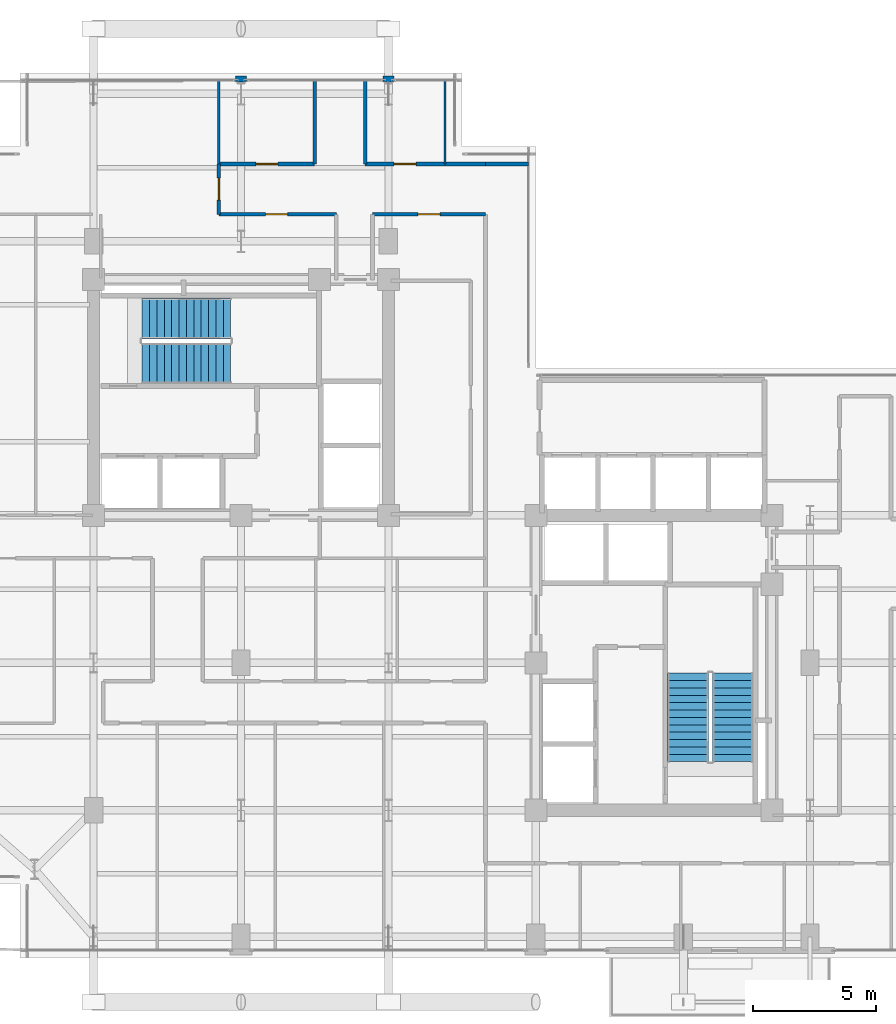
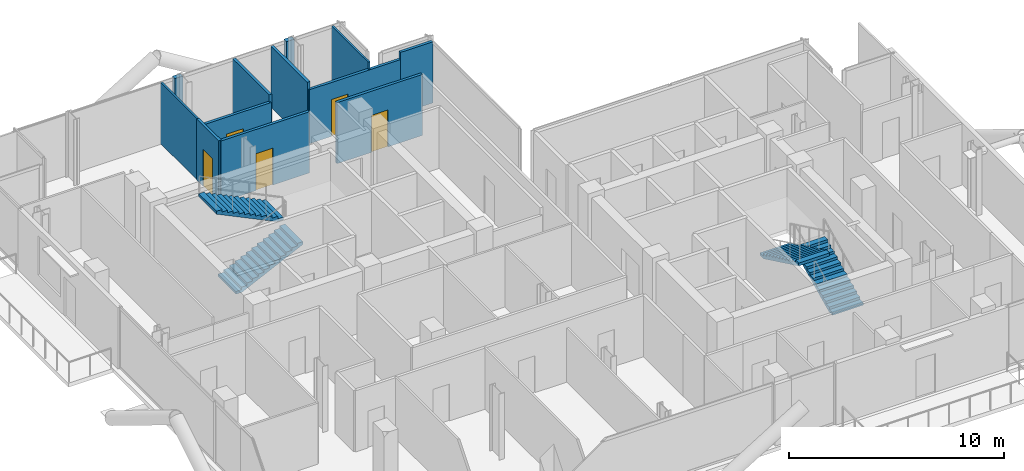
# One storey, part 23 of 26: 12 walls, 5 doors, 4 stair flights, 5 openings, 2 elements without a shape of their own.
"""IFC4 building model written with IfcOpenShell, lengths in metres."""

from ifc_helpers import new_model, si_unit, direction, frame, frame_2d, origin, place, context, subcontext, project, spatial, polyline, rectangle, outline, extrude, material, layer, layer_set, type_object, element, fill, aggregate, save


model = new_model("IFC4")

# Units and contexts
model_context = context("Model", 3, precision=1e-05, world=origin(), true_north=direction((0.0, 1.0)))
body_context = subcontext(model_context, "Body", "Model", "MODEL_VIEW")
ifc_project = project(units=[si_unit("LENGTHUNIT", "METRE"), si_unit("AREAUNIT", "SQUARE_METRE"), si_unit("VOLUMEUNIT", "CUBIC_METRE"), si_unit("PLANEANGLEUNIT", "RADIAN"), si_unit("MASSUNIT", "GRAM", prefix="KILO"), si_unit("THERMODYNAMICTEMPERATUREUNIT", "KELVIN"), si_unit("POWERUNIT", "WATT")], contexts=[model_context])

# Site, building, storey
site_placement = place(None, origin())
site = spatial("IfcSite", under=ifc_project, at=site_placement, CompositionType="ELEMENT")
building_placement = place(site_placement, origin())
building = spatial("IfcBuilding", under=site, at=building_placement, Name="Svarakhadi Broadcast Tower", CompositionType="ELEMENT")
storey_placement = place(building_placement, frame((0.0, 0.0, 195.449951171875)))
storey = spatial("IfcBuildingStorey", under=building, at=storey_placement, Name="L48", CompositionType="ELEMENT", Elevation=195.449951171875)

# Walls
ifc_material_1 = material(Name="Concrete C40/50 (IS 456 M50)", Category="concrete")
ifc_layer_1 = layer(ifc_material_1, 0.239990234375)
ifc_layer_set_1 = layer_set([ifc_layer_1], Name="Concrete C40/50 (IS 456 M50)")
wall_type_1 = type_object("IfcWallType", Name="Wall_Ext_240", PredefinedType="SOLIDWALL", material=ifc_layer_set_1)
for number, where, z_axis, x_axis, name in (
    (1, (11.784912109375, 35.760009765625, 0.0), (0.0, 0.0, 1.0), (1.0, 0.0, 0.0), "L48 Perimeter Bronze Spandrel Closure Wall 01"),
    (2, (17.784912109375, 35.760009765625, 0.0), (0.0, 0.0, 1.0), (1.0, 0.0, 0.0), "L48 Perimeter Bronze Spandrel Closure Wall 02"),
):
    element("IfcWall", number, at=place(storey_placement, frame(where, z_axis=z_axis, x_axis=x_axis)), inside=storey, type_object=wall_type_1, Name=name, PredefinedType="SOLIDWALL", context=body_context, shape_type="SweptSolid", body=[
        extrude(rectangle(XDim=0.43017578125, YDim=0.239990234375, at=frame_2d((0.215087890625, 0.0))), origin(), (0.0, 0.0, 1.0), 3.47509765625),
    ])
ifc_material_2 = material(Name="Fire-Rated Moisture-Resistant Gypsum Board Partition", Category="gypsum")
ifc_layer_2 = layer(ifc_material_2, 0.10009765625)
ifc_layer_set_2 = layer_set([ifc_layer_2], Name="Fire-Rated Moisture-Resistant Gypsum Board Partition")
wall_type_2 = type_object("IfcWallType", Name="Wall_Part_100", PredefinedType="PARTITIONING", material=ifc_layer_set_2)
for number, where, z_axis, x_axis, name in (
    (3, (11.10009765625, 32.300048828125, 0.0), (0.0, 0.0, 1.0), (0.0, 1.0, 0.0), "L48 Guest Wellness Relaxation Salon Wall"),
    (4, (20.300048828125, 32.300048828125, 0.0), (0.0, 0.0, 1.0), (0.0, 1.0, 0.0), "L48 Hotel Pilates Studio Wall"),
):
    element("IfcWall", number, at=place(storey_placement, frame(where, z_axis=z_axis, x_axis=x_axis)), inside=storey, type_object=wall_type_2, Name=name, PredefinedType="PARTITIONING", context=body_context, shape_type="SweptSolid", body=[
        extrude(rectangle(XDim=3.39990234375, YDim=0.10009765625, at=frame_2d((1.699951171875, 0.0))), origin(), (0.0, 0.0, 1.0), 3.47509765625),
    ])

# Wall, opening, door
ifc_material_3 = material(Name="Autoclaved Aerated Concrete Blockwork 150 mm", Category="masonry")
ifc_layer_3 = layer(ifc_material_3, 0.14990234375)
ifc_layer_set_3 = layer_set([ifc_layer_3], Name="Autoclaved Aerated Concrete Blockwork 150 mm")
wall_type_3 = type_object("IfcWallType", Name="Wall_Part_150", PredefinedType="PARTITIONING", material=ifc_layer_set_3)
wall_1_placement = place(storey_placement, frame((21.949951171875, 30.25, 0.0), z_axis=(0.0, 0.0, 1.0), x_axis=(-1.0, 0.0, 0.0)))
wall_1 = element("IfcWall", 5, at=wall_1_placement, inside=storey, type_object=wall_type_3, Name="L48 Zone 2/3 Corridor Wall", PredefinedType="PARTITIONING", context=body_context, shape_type="SweptSolid", body=[
    extrude(rectangle(XDim=4.599853515625, YDim=0.14990234375, at=frame_2d((2.2998046875, 0.0))), origin(), (0.0, 0.0, 1.0), 3.47509765625),
])
opening_1_placement = place(wall_1_placement, frame((1.85009765625, 0.0, 0.0)))
opening_1 = element("IfcOpeningElement", 6, at=opening_1_placement, cuts=wall_1, Name="Opening D-14", PredefinedType="OPENING", context=body_context, shape_type="SweptSolid", body=[
    extrude(rectangle(XDim=0.89990234375, YDim=2.10009765625, at=frame_2d((0.449951171875, 1.050048828125))), frame((0.0, 0.0849609375, 0.0), z_axis=(0.0, -1.0, 0.0), x_axis=(1.0, 0.0, 0.0)), (0.0, 0.0, 1.0), 0.169921875),
])
ifc_material_4 = material(Name="Solid-Core Teak Veneer Acoustic Timber Leaf", Category="wood")
door_type_1 = type_object("IfcDoorType", Name="Door_Int_D14", OperationType="SINGLE_SWING_LEFT", PredefinedType="DOOR", material=ifc_material_4)
door_1_placement = place(opening_1_placement, origin())
door_1 = element("IfcDoor", 7, at=door_1_placement, inside=storey, type_object=door_type_1, Name="L48 Guest Quiet Study Door", OperationType="SINGLE_SWING_LEFT", OverallHeight=2.10009765625, OverallWidth=0.89990234375, PredefinedType="DOOR", context=body_context, shape_type="SweptSolid", body=[
    extrude(rectangle(XDim=0.89990234375, YDim=2.10009765625, at=frame_2d((0.449951171875, 1.050048828125))), frame((0.0, 0.02490234375, 0.0), z_axis=(0.0, -1.0, 0.0), x_axis=(1.0, 0.0, 0.0)), (0.0, 0.0, 1.0), 0.050048828125),
])
fill(opening_1, door_1)

wall_2_placement = place(storey_placement, frame((15.8798828125, 30.25, 0.0), z_axis=(0.0, 0.0, 1.0), x_axis=(-1.0, 0.0, 0.0)))
wall_2 = element("IfcWall", 8, at=wall_2_placement, inside=storey, type_object=wall_type_3, Name="L48 Zone 2/3 Corridor Wall", PredefinedType="PARTITIONING", context=body_context, shape_type="SweptSolid", body=[
    extrude(rectangle(XDim=4.77978515625, YDim=0.14990234375, at=frame_2d((2.389892578125, 0.0))), origin(), (0.0, 0.0, 1.0), 3.47509765625),
])
opening_2_placement = place(wall_2_placement, frame((1.97998046875, 0.0, 0.0)))
opening_2 = element("IfcOpeningElement", 9, at=opening_2_placement, cuts=wall_2, Name="Opening D-14", PredefinedType="OPENING", context=body_context, shape_type="SweptSolid", body=[
    extrude(rectangle(XDim=0.89990234375, YDim=2.10009765625, at=frame_2d((0.449951171875, 1.050048828125))), frame((0.0, 0.0849609375, 0.0), z_axis=(0.0, -1.0, 0.0), x_axis=(1.0, 0.0, 0.0)), (0.0, 0.0, 1.0), 0.169921875),
])
door_2_placement = place(opening_2_placement, origin())
door_2 = element("IfcDoor", 10, at=door_2_placement, inside=storey, type_object=door_type_1, Name="L48 Guest Library Study Door", OperationType="SINGLE_SWING_LEFT", OverallHeight=2.10009765625, OverallWidth=0.89990234375, PredefinedType="DOOR", context=body_context, shape_type="SweptSolid", body=[
    extrude(rectangle(XDim=0.89990234375, YDim=2.10009765625, at=frame_2d((0.449951171875, 1.050048828125))), frame((0.0, 0.02490234375, 0.0), z_axis=(0.0, -1.0, 0.0), x_axis=(1.0, 0.0, 0.0)), (0.0, 0.0, 1.0), 0.050048828125),
])
fill(opening_2, door_2)

wall_3_placement = place(storey_placement, frame((11.10009765625, 30.25, 0.0), z_axis=(0.0, 0.0, 1.0), x_axis=(0.0, 1.0, 0.0)))
wall_3 = element("IfcWall", 11, at=wall_3_placement, inside=storey, type_object=wall_type_3, Name="L48 Zone 2/3 Corridor Wall", PredefinedType="PARTITIONING", context=body_context, shape_type="SweptSolid", body=[
    extrude(rectangle(XDim=2.050048828125, YDim=0.14990234375, at=frame_2d((1.02490234375, 0.0))), origin(), (0.0, 0.0, 1.0), 3.47509765625),
])
opening_3_placement = place(wall_3_placement, frame((0.574951171875, 0.0, 0.0)))
opening_3 = element("IfcOpeningElement", 12, at=opening_3_placement, cuts=wall_3, Name="Opening D-14", PredefinedType="OPENING", context=body_context, shape_type="SweptSolid", body=[
    extrude(rectangle(XDim=0.89990234375, YDim=2.10009765625, at=frame_2d((0.449951171875, 1.050048828125))), frame((0.0, 0.0849609375, 0.0), z_axis=(0.0, -1.0, 0.0), x_axis=(1.0, 0.0, 0.0)), (0.0, 0.0, 1.0), 0.169921875),
])
door_3_placement = place(opening_3_placement, origin())
door_3 = element("IfcDoor", 13, at=door_3_placement, inside=storey, type_object=door_type_1, Name="L48 Hotel Guest Yoga and Wellness Studio Door", OperationType="SINGLE_SWING_LEFT", OverallHeight=2.10009765625, OverallWidth=0.89990234375, PredefinedType="DOOR", context=body_context, shape_type="SweptSolid", body=[
    extrude(rectangle(XDim=0.89990234375, YDim=2.10009765625, at=frame_2d((0.449951171875, 1.050048828125))), frame((0.0, 0.02490234375, 0.0), z_axis=(0.0, -1.0, 0.0), x_axis=(1.0, 0.0, 0.0)), (0.0, 0.0, 1.0), 0.050048828125),
])
fill(opening_3, door_3)

wall_4_placement = place(storey_placement, frame((11.10009765625, 32.300048828125, 0.0), z_axis=(0.0, 0.0, 1.0), x_axis=(1.0, 0.0, 0.0)))
wall_4 = element("IfcWall", 14, at=wall_4_placement, inside=storey, type_object=wall_type_3, Name="L48 Zone 2/3 Corridor Wall", PredefinedType="PARTITIONING", context=body_context, shape_type="SweptSolid", body=[
    extrude(rectangle(XDim=3.89990234375, YDim=0.14990234375, at=frame_2d((1.949951171875, 0.0))), origin(), (0.0, 0.0, 1.0), 3.067138671875),
])
opening_4_placement = place(wall_4_placement, frame((1.5, 0.0, 0.0)))
opening_4 = element("IfcOpeningElement", 15, at=opening_4_placement, cuts=wall_4, Name="Opening D-15", PredefinedType="OPENING", context=body_context, shape_type="SweptSolid", body=[
    extrude(rectangle(XDim=0.89990234375, YDim=2.10009765625, at=frame_2d((0.449951171875, 1.050048828125))), frame((0.0, 0.0849609375, 0.0), z_axis=(0.0, -1.0, 0.0), x_axis=(1.0, 0.0, 0.0)), (0.0, 0.0, 1.0), 0.169921875),
])
door_type_2 = type_object("IfcDoorType", Name="Door_Int_D15", OperationType="SINGLE_SWING_RIGHT", PredefinedType="DOOR", material=ifc_material_4)
door_4_placement = place(opening_4_placement, origin())
door_4 = element("IfcDoor", 16, at=door_4_placement, inside=storey, type_object=door_type_2, Name="L48 Guest Wellness Relaxation Salon Door", OperationType="SINGLE_SWING_RIGHT", OverallHeight=2.10009765625, OverallWidth=0.89990234375, PredefinedType="DOOR", context=body_context, shape_type="SweptSolid", body=[
    extrude(rectangle(XDim=0.89990234375, YDim=2.10009765625, at=frame_2d((0.449951171875, 1.050048828125))), frame((0.0, 0.02490234375, 0.0), z_axis=(0.0, -1.0, 0.0), x_axis=(1.0, 0.0, 0.0)), (0.0, 0.0, 1.0), 0.050048828125),
])
fill(opening_4, door_4)

# Walls
for number, where, z_axis, x_axis, name in (
    (17, (15.0, 32.300048828125, 0.0), (0.0, 0.0, 1.0), (0.0, 1.0, 0.0), "L48 Zone 2/3 Corridor Wall"),
    (18, (17.050048828125, 35.699951171875, 0.0), (0.0, 0.0, 1.0), (0.0, -1.0, 0.0), "L48 Zone 2/3 Corridor Wall"),
):
    element("IfcWall", number, at=place(storey_placement, frame(where, z_axis=z_axis, x_axis=x_axis)), inside=storey, type_object=wall_type_3, Name=name, PredefinedType="PARTITIONING", context=body_context, shape_type="SweptSolid", body=[
        extrude(rectangle(XDim=3.39990234375, YDim=0.14990234375, at=frame_2d((1.699951171875, 0.0))), origin(), (0.0, 0.0, 1.0), 3.47509765625),
    ])

# Wall, opening, door
wall_5_placement = place(storey_placement, frame((17.050048828125, 32.300048828125, 0.0), z_axis=(0.0, 0.0, 1.0), x_axis=(1.0, 0.0, 0.0)))
wall_5 = element("IfcWall", 19, at=wall_5_placement, inside=storey, type_object=wall_type_3, Name="L48 Zone 2/3 Corridor Wall", PredefinedType="PARTITIONING", context=body_context, shape_type="SweptSolid", body=[
    extrude(rectangle(XDim=4.89990234375, YDim=0.14990234375, at=frame_2d((2.449951171875, 0.0))), origin(), (0.0, 0.0, 1.0), 3.067138671875),
])
opening_5_placement = place(wall_5_placement, frame((1.175048828125, 0.0, 0.0)))
opening_5 = element("IfcOpeningElement", 20, at=opening_5_placement, cuts=wall_5, Name="Opening D-14", PredefinedType="OPENING", context=body_context, shape_type="SweptSolid", body=[
    extrude(rectangle(XDim=0.89990234375, YDim=2.10009765625, at=frame_2d((0.449951171875, 1.050048828125))), frame((0.0, 0.0849609375, 0.0), z_axis=(0.0, -1.0, 0.0), x_axis=(1.0, 0.0, 0.0)), (0.0, 0.0, 1.0), 0.169921875),
])
door_5_placement = place(opening_5_placement, origin())
door_5 = element("IfcDoor", 21, at=door_5_placement, inside=storey, type_object=door_type_1, Name="L48 Hotel Pilates Studio Door", OperationType="SINGLE_SWING_LEFT", OverallHeight=2.10009765625, OverallWidth=0.89990234375, PredefinedType="DOOR", context=body_context, shape_type="SweptSolid", body=[
    extrude(rectangle(XDim=0.89990234375, YDim=2.10009765625, at=frame_2d((0.449951171875, 1.050048828125))), frame((0.0, 0.02490234375, 0.0), z_axis=(0.0, -1.0, 0.0), x_axis=(1.0, 0.0, 0.0)), (0.0, 0.0, 1.0), 0.050048828125),
])
fill(opening_5, door_5)

# Wall
wall_6_placement = place(storey_placement, frame((21.949951171875, 32.300048828125, 0.0), z_axis=(0.0, 0.0, 1.0), x_axis=(1.0, 0.0, 0.0)))
element("IfcWall", 22, at=wall_6_placement, inside=storey, type_object=wall_type_3, Name="L48 Zone 2/3 Corridor Wall", PredefinedType="PARTITIONING", context=body_context, shape_type="SweptSolid", body=[
    extrude(rectangle(XDim=1.75, YDim=0.14990234375, at=frame_2d((0.875, 0.0))), origin(), (0.0, 0.0, 1.0), 3.47509765625),
])

# Stair, stair flights
stair_type = type_object("IfcStairType", Name="Stair_Exit_Core", PredefinedType="HALF_TURN_STAIR", material=ifc_material_1)
stair_1_placement = place(storey_placement, origin())
stair_1 = element("IfcStair", 23, at=stair_1_placement, inside=storey, type_object=stair_type, Name="L48 West Core Protected Exit Stair ST-01", PredefinedType="HALF_TURN_STAIR")
stair_flight_type = type_object("IfcStairFlightType", Name="Flight_RC_1680", PredefinedType="STRAIGHT", material=ifc_material_1)
stair_flight_1_placement = place(storey_placement, frame((7.97998046875, 24.18994140625, 0.0), z_axis=(0.0, 0.0, 1.0), x_axis=(1.0, 0.0, 0.0)))
stair_flight_1 = element("IfcStairFlight", 24, at=stair_flight_1_placement, type_object=stair_flight_type, Name="ST-01 flight 1", NumberOfRisers=13, NumberOfTreads=12, PredefinedType="STRAIGHT", RiserHeight=0.144230769, TreadLength=0.3, context=body_context, shape_type="SweptSolid", body=[
    extrude(outline(polyline([(0.0, 0.0), (0.0, 0.144287109375), (0.300048828125, 0.144287109375), (0.300048828125, 0.28857421875), (0.60009765625, 0.28857421875), (0.60009765625, 0.4326171875), (0.89990234375, 0.4326171875), (0.89990234375, 0.576904296875), (1.199951171875, 0.576904296875), (1.199951171875, 0.72119140625), (1.5, 0.72119140625), (1.5, 0.865478515625), (1.800048828125, 0.865478515625), (1.800048828125, 1.009521484375), (2.10009765625, 1.009521484375), (2.10009765625, 1.15380859375), (2.39990234375, 1.15380859375), (2.39990234375, 1.298095703125), (2.699951171875, 1.298095703125), (2.699951171875, 1.4423828125), (3.0, 1.4423828125), (3.0, 1.58642578125), (3.300048828125, 1.58642578125), (3.300048828125, 1.730712890625), (3.60009765625, 1.730712890625), (3.60009765625, 1.875), (3.60009765625, 1.564453125), (0.345947265625, 0.0), (0.0, 0.0)])), frame((0.0, 0.830078125, 0.0), z_axis=(0.0, -1.0, 0.0), x_axis=(1.0, 0.0, 0.0)), (0.0, 0.0, 1.0), 1.659912109375),
])
stair_flight_2_placement = place(storey_placement, frame((11.580078125, 26.010009765625, 1.875), z_axis=(0.0, 0.0, 1.0), x_axis=(-1.0, 0.0, 0.0)))
stair_flight_2 = element("IfcStairFlight", 25, at=stair_flight_2_placement, type_object=stair_flight_type, Name="ST-01 flight 2", NumberOfRisers=13, NumberOfTreads=12, PredefinedType="STRAIGHT", RiserHeight=0.144230769, TreadLength=0.3, context=body_context, shape_type="SweptSolid", body=[
    extrude(outline(polyline([(0.0, 0.0), (0.0, 0.144287109375), (0.300048828125, 0.144287109375), (0.300048828125, 0.28857421875), (0.60009765625, 0.28857421875), (0.60009765625, 0.4326171875), (0.89990234375, 0.4326171875), (0.89990234375, 0.576904296875), (1.199951171875, 0.576904296875), (1.199951171875, 0.72119140625), (1.5, 0.72119140625), (1.5, 0.865478515625), (1.800048828125, 0.865478515625), (1.800048828125, 1.009521484375), (2.10009765625, 1.009521484375), (2.10009765625, 1.15380859375), (2.39990234375, 1.15380859375), (2.39990234375, 1.298095703125), (2.699951171875, 1.298095703125), (2.699951171875, 1.4423828125), (3.0, 1.4423828125), (3.0, 1.58642578125), (3.300048828125, 1.58642578125), (3.300048828125, 1.730712890625), (3.60009765625, 1.730712890625), (3.60009765625, 1.875), (3.60009765625, 1.564453125), (0.345947265625, 0.0), (0.0, 0.0)])), frame((0.0, 0.830078125, 0.0), z_axis=(0.0, -1.0, 0.0), x_axis=(1.0, 0.0, 0.0)), (0.0, 0.0, 1.0), 1.659912109375),
])
aggregate(stair_1, [stair_flight_1, stair_flight_2])

stair_2_placement = place(storey_placement, origin())
stair_2 = element("IfcStair", 26, at=stair_2_placement, inside=storey, type_object=stair_type, Name="L48 East Core Protected Exit Stair ST-02", PredefinedType="HALF_TURN_STAIR")
stair_flight_3_placement = place(storey_placement, frame((32.010009765625, 7.97998046875, 0.0), z_axis=(0.0, 0.0, 1.0), x_axis=(0.0, 1.0, 0.0)))
stair_flight_3 = element("IfcStairFlight", 27, at=stair_flight_3_placement, type_object=stair_flight_type, Name="ST-02 flight 1", NumberOfRisers=13, NumberOfTreads=12, PredefinedType="STRAIGHT", RiserHeight=0.144230769, TreadLength=0.3, context=body_context, shape_type="SweptSolid", body=[
    extrude(outline(polyline([(0.0, 0.0), (0.0, 0.144287109375), (0.300048828125, 0.144287109375), (0.300048828125, 0.28857421875), (0.60009765625, 0.28857421875), (0.60009765625, 0.4326171875), (0.89990234375, 0.4326171875), (0.89990234375, 0.576904296875), (1.199951171875, 0.576904296875), (1.199951171875, 0.72119140625), (1.5, 0.72119140625), (1.5, 0.865478515625), (1.800048828125, 0.865478515625), (1.800048828125, 1.009521484375), (2.10009765625, 1.009521484375), (2.10009765625, 1.15380859375), (2.39990234375, 1.15380859375), (2.39990234375, 1.298095703125), (2.699951171875, 1.298095703125), (2.699951171875, 1.4423828125), (3.0, 1.4423828125), (3.0, 1.58642578125), (3.300048828125, 1.58642578125), (3.300048828125, 1.730712890625), (3.60009765625, 1.730712890625), (3.60009765625, 1.875), (3.60009765625, 1.564453125), (0.345947265625, 0.0), (0.0, 0.0)])), frame((0.0, 0.830078125, 0.0), z_axis=(0.0, -1.0, 0.0), x_axis=(1.0, 0.0, 0.0)), (0.0, 0.0, 1.0), 1.659912109375),
])
stair_flight_4_placement = place(storey_placement, frame((30.18994140625, 11.580078125, 1.875), z_axis=(0.0, 0.0, 1.0), x_axis=(0.0, -1.0, 0.0)))
stair_flight_4 = element("IfcStairFlight", 28, at=stair_flight_4_placement, type_object=stair_flight_type, Name="ST-02 flight 2", NumberOfRisers=13, NumberOfTreads=12, PredefinedType="STRAIGHT", RiserHeight=0.144230769, TreadLength=0.3, context=body_context, shape_type="SweptSolid", body=[
    extrude(outline(polyline([(0.0, 0.0), (0.0, 0.144287109375), (0.300048828125, 0.144287109375), (0.300048828125, 0.28857421875), (0.60009765625, 0.28857421875), (0.60009765625, 0.4326171875), (0.89990234375, 0.4326171875), (0.89990234375, 0.576904296875), (1.199951171875, 0.576904296875), (1.199951171875, 0.72119140625), (1.5, 0.72119140625), (1.5, 0.865478515625), (1.800048828125, 0.865478515625), (1.800048828125, 1.009521484375), (2.10009765625, 1.009521484375), (2.10009765625, 1.15380859375), (2.39990234375, 1.15380859375), (2.39990234375, 1.298095703125), (2.699951171875, 1.298095703125), (2.699951171875, 1.4423828125), (3.0, 1.4423828125), (3.0, 1.58642578125), (3.300048828125, 1.58642578125), (3.300048828125, 1.730712890625), (3.60009765625, 1.730712890625), (3.60009765625, 1.875), (3.60009765625, 1.564453125), (0.345947265625, 0.0), (0.0, 0.0)])), frame((0.0, 0.830078125, 0.0), z_axis=(0.0, -1.0, 0.0), x_axis=(1.0, 0.0, 0.0)), (0.0, 0.0, 1.0), 1.659912109375),
])
aggregate(stair_2, [stair_flight_3, stair_flight_4])

save(model, "model.ifc")
